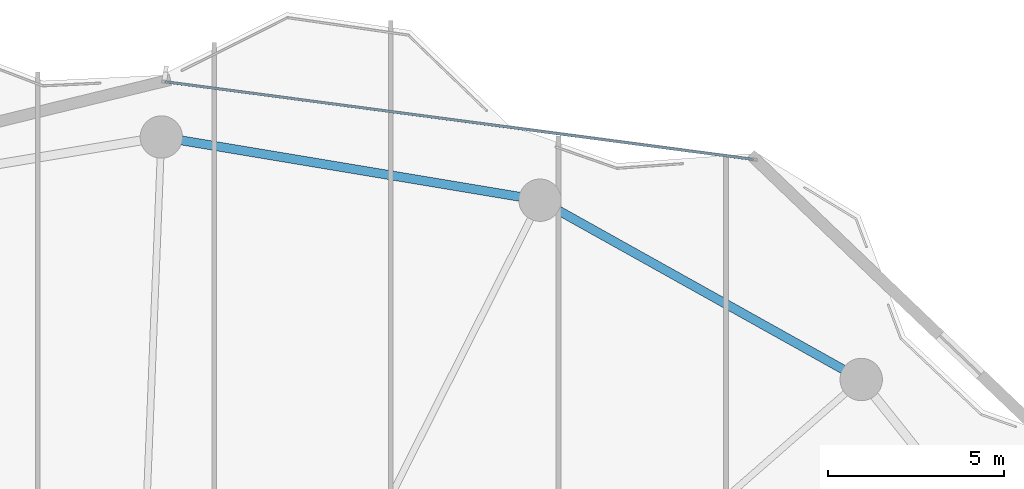
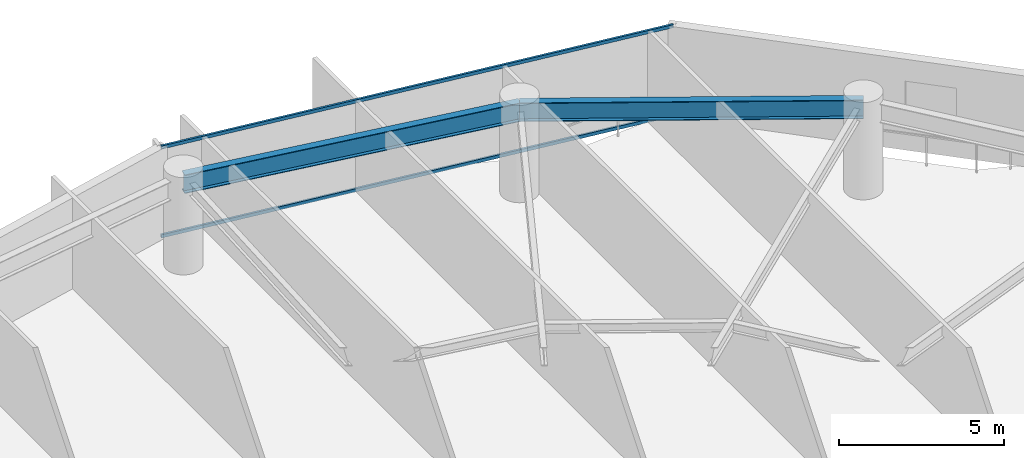
# One storey, part 21 of 30: 2 beams, 2 members, 1 element without a shape of its own.
"""IFC4 building model written with IfcOpenShell, lengths in metres."""

from ifc_helpers import new_model, si_unit, direction, frame, origin, origin_2d, place, context, subcontext, project, spatial, hollow_rectangle, i_section, extrude, material, layer, layer_set, material_profile, profile_set, type_object, element, aggregate, save


model = new_model("IFC4")

# Units and contexts
model_context = context("Model", 3, precision=1e-05, world=origin(), true_north=direction((0.0, 1.0)))
body_context = subcontext(model_context, "Body", "Model", "MODEL_VIEW")
ifc_project = project(units=[si_unit("LENGTHUNIT", "METRE"), si_unit("AREAUNIT", "SQUARE_METRE"), si_unit("VOLUMEUNIT", "CUBIC_METRE"), si_unit("PLANEANGLEUNIT", "RADIAN"), si_unit("MASSUNIT", "GRAM", prefix="KILO")], contexts=[model_context])

# Site, building, storey
site_placement = place(None, origin())
site = spatial("IfcSite", under=ifc_project, at=site_placement, CompositionType="ELEMENT")
building_placement = place(site_placement, origin())
building = spatial("IfcBuilding", under=site, at=building_placement, Name="Kazevale Care Tower and Concert Hall", CompositionType="ELEMENT")
storey_placement = place(building_placement, frame((0.0, 0.0, 127.800048828125)))
storey = spatial("IfcBuildingStorey", under=building, at=storey_placement, Name="L33", CompositionType="ELEMENT", Elevation=127.800048828125)

# Curtain wall, members
ifc_material_1 = material(Name="Aluminium 6063-T6 and Low-E Glass", Category="aluminium")
ifc_layer = layer(ifc_material_1, 0.179931640625)
ifc_layer_set = layer_set([ifc_layer], Name="Aluminium 6063-T6 and Low-E Glass")
curtain_wall_type = type_object("IfcCurtainWallType", Name="Convex Recessed Sunroom Curtain Wall CW-3", PredefinedType="NOTDEFINED", material=ifc_layer_set)
curtain_wall_placement = place(storey_placement, origin())
curtain_wall = element("IfcCurtainWall", 1, at=curtain_wall_placement, inside=storey, type_object=curtain_wall_type, Name="cw:L33:f16", PredefinedType="NOTDEFINED")
ifc_material_2 = material(Name="Aluminium 6063-T6", Category="aluminium")
ifc_material_profile_1 = material_profile(ifc_material_2, hollow_rectangle(XDim=0.074951171875, YDim=0.1201171875, WallThickness=0.00390625, at=origin_2d()), Name="ALU75x120x4")
ifc_profile_set_1 = profile_set([ifc_material_profile_1], Name="Aluminium 6063-T6")
member_type = type_object("IfcMemberType", Name="CW-3 Transom ALU75x120x4", PredefinedType="USERDEFINED", material=ifc_profile_set_1)
member_1_placement = place(storey_placement, frame((45.121337890625, 63.01220703125, 0.037353515625), z_axis=(0.99140485097, -0.130829742311, 0.0), x_axis=(0.130829742311, 0.99140485097, 0.0)))
member_1 = element("IfcMember", 2, at=member_1_placement, type_object=member_type, Name="CW-3 transom 1.1", ObjectType="TRANSOM", PredefinedType="USERDEFINED", context=body_context, shape_type="SweptSolid", body=[
    extrude(hollow_rectangle(XDim=0.074951171875, YDim=0.1201171875, WallThickness=0.00390625, at=origin_2d()), origin(), (0.0, 0.0, 1.0), 16.796630859375),
])
member_2_placement = place(storey_placement, frame((45.121337890625, 63.01220703125, 3.322509765625), z_axis=(0.99140485097, -0.130829742311, 0.0), x_axis=(0.130829742311, 0.99140485097, 0.0)))
member_2 = element("IfcMember", 3, at=member_2_placement, type_object=member_type, Name="CW-3 transom 1.2", ObjectType="TRANSOM", PredefinedType="USERDEFINED", context=body_context, shape_type="SweptSolid", body=[
    extrude(hollow_rectangle(XDim=0.074951171875, YDim=0.1201171875, WallThickness=0.00390625, at=origin_2d()), origin(), (0.0, 0.0, 1.0), 16.796630859375),
])
aggregate(curtain_wall, [member_1, member_2])

# Beams
ifc_material_3 = material(Name="Steel ASTM A572 Gr 50", Category="steel")
ifc_material_profile_2 = material_profile(ifc_material_3, i_section(OverallWidth=0.256103515625, OverallDepth=0.693115234375, WebThickness=0.014404296875, FlangeThickness=0.023681640625, at=origin_2d()), Name="W690x170")
ifc_profile_set_2 = profile_set([ifc_material_profile_2], Name="Steel ASTM A572 Gr 50")
beam_type = type_object("IfcBeamType", Name="Waist Ring Beam W690x170", PredefinedType="BEAM", material=ifc_profile_set_2)
beam_1_placement = place(storey_placement, frame((64.830078125, 54.580078125, 3.013427734375), z_axis=(-0.873168720251, 0.487418081297, 0.0), x_axis=(-0.487418081297, -0.873168720251, 0.0)))
element("IfcBeam", 4, at=beam_1_placement, inside=storey, type_object=beam_type, Name="beam:L33:ring:03", PredefinedType="BEAM", context=body_context, shape_type="SweptSolid", body=[
    extrude(i_section(OverallWidth=0.256103515625, OverallDepth=0.693115234375, WebThickness=0.014404296875, FlangeThickness=0.023681640625, at=origin_2d()), origin(), (0.0, 0.0, 1.0), 10.421875),
])
beam_2_placement = place(storey_placement, frame((55.72998046875, 59.659912109375, 3.013427734375), z_axis=(-0.986368436187, 0.164551840139, 0.0), x_axis=(-0.164551840139, -0.986368436187, 0.0)))
element("IfcBeam", 5, at=beam_2_placement, inside=storey, type_object=beam_type, Name="beam:L33:ring:04", PredefinedType="BEAM", context=body_context, shape_type="SweptSolid", body=[
    extrude(i_section(OverallWidth=0.256103515625, OverallDepth=0.693115234375, WebThickness=0.014404296875, FlangeThickness=0.023681640625, at=origin_2d()), origin(), (0.0, 0.0, 1.0), 10.878173828125),
])

save(model, "model.ifc")
